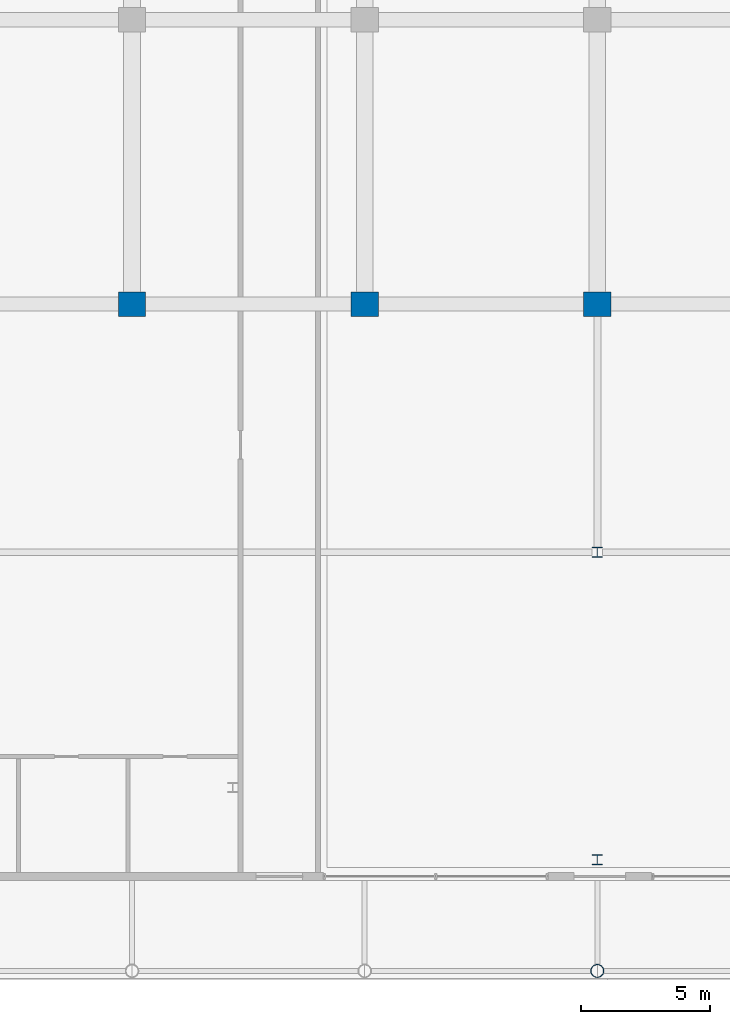
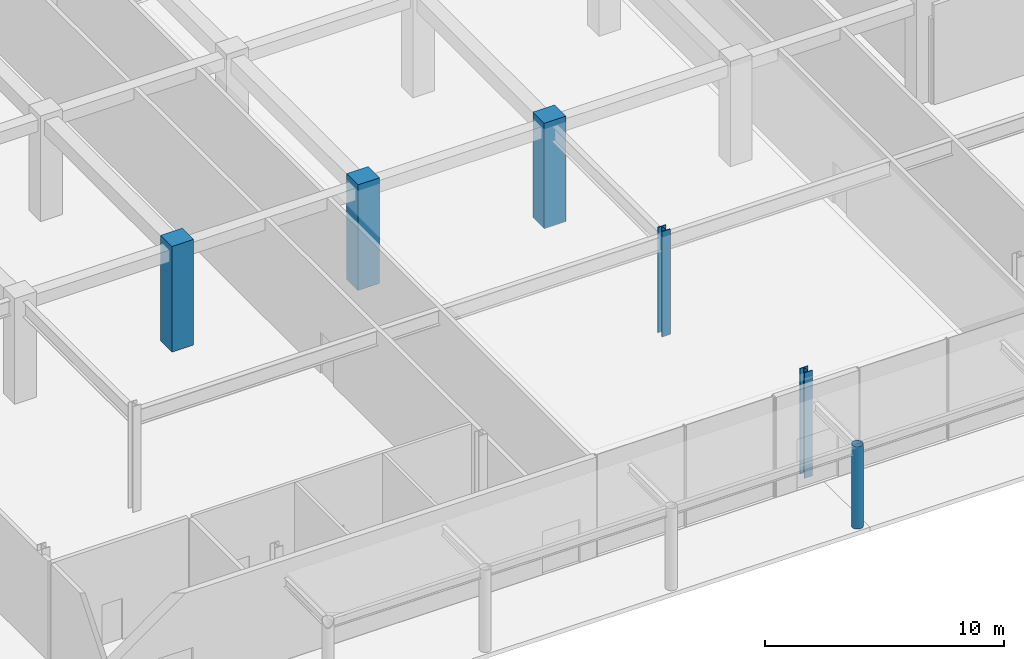
# One storey, part 2 of 46: 6 columns.
"""IFC4 building model written with IfcOpenShell, lengths in metres."""

from ifc_helpers import new_model, si_unit, direction, frame, origin, origin_2d, place, context, subcontext, project, spatial, rectangle, hollow_circle, i_section, extrude, material, material_profile, profile_set, type_object, element, save


model = new_model("IFC4")

# Units and contexts
model_context = context("Model", 3, precision=1e-05, world=origin(), true_north=direction((0.0, 1.0)))
body_context = subcontext(model_context, "Body", "Model", "MODEL_VIEW")
ifc_project = project(units=[si_unit("LENGTHUNIT", "METRE"), si_unit("AREAUNIT", "SQUARE_METRE"), si_unit("VOLUMEUNIT", "CUBIC_METRE"), si_unit("PLANEANGLEUNIT", "RADIAN"), si_unit("MASSUNIT", "GRAM", prefix="KILO")], contexts=[model_context])

# Site, building, storey
site_placement = place(None, origin())
site = spatial("IfcSite", under=ifc_project, at=site_placement, CompositionType="ELEMENT")
building_placement = place(site_placement, origin())
building = spatial("IfcBuilding", under=site, at=building_placement, Name="Korimba Cascade Residences", CompositionType="ELEMENT")
storey_placement = place(building_placement, origin())
storey = spatial("IfcBuildingStorey", under=building, at=storey_placement, Name="L00", CompositionType="ELEMENT", Elevation=0.0)

# Columns
ifc_material_1 = material(Name="Concrete C80/95", Category="concrete")
ifc_material_profile_1 = material_profile(ifc_material_1, rectangle(XDim=1.050048828125, YDim=0.949951171875, at=origin_2d()), Name="Concrete C80/95")
ifc_profile_set_1 = profile_set([ifc_material_profile_1], Name="Concrete C80/95")
column_type_1 = type_object("IfcColumnType", Name="COL-RC-1050", PredefinedType="COLUMN", material=ifc_profile_set_1)
for number, where, z_axis, x_axis, name in (
    (1, (82.10009765625, -4.199951171875, 0.0), (0.0, 0.0, 1.0), (1.0, 0.0, 0.0), "L00 Tower 2 Column 2.1"),
    (2, (91.10009765625, -4.199951171875, 0.0), (0.0, 0.0, 1.0), (1.0, 0.0, 0.0), "L00 Tower 2 Column 3.1"),
    (3, (100.10009765625, -4.199951171875, 0.0), (0.0, 0.0, 1.0), (1.0, 0.0, 0.0), "L00 Tower 2 Column 4.1"),
):
    element("IfcColumn", number, at=place(storey_placement, frame(where, z_axis=z_axis, x_axis=x_axis)), inside=storey, type_object=column_type_1, Name=name, PredefinedType="COLUMN", context=body_context, shape_type="SweptSolid", body=[
        extrude(rectangle(XDim=1.050048828125, YDim=0.949951171875, at=origin_2d()), origin(), (0.0, 0.0, 1.0), 5.39990234375),
    ])
ifc_material_2 = material(Name="Steel S355", Category="steel")
ifc_material_profile_2 = material_profile(ifc_material_2, hollow_circle(Radius=0.25390625, WallThickness=0.01611328125, at=origin_2d()), Name="Steel S355")
ifc_profile_set_2 = profile_set([ifc_material_profile_2], Name="Steel S355")
column_type_2 = type_object("IfcColumnType", Name="COL-STL-CHS508", PredefinedType="COLUMN", material=ifc_profile_set_2)
column_placement = place(storey_placement, frame((100.10009765625, -30.0, 0.0), z_axis=(0.0, 0.0, 1.0), x_axis=(1.0, 0.0, 0.0)))
element("IfcColumn", 4, at=column_placement, inside=storey, type_object=column_type_2, Name="Entrance Canopy Column 4", PredefinedType="COLUMN", context=body_context, shape_type="SweptSolid", body=[
    extrude(hollow_circle(Radius=0.25390625, WallThickness=0.01611328125, at=origin_2d()), origin(), (0.0, 0.0, 1.0), 4.199951171875),
])
ifc_material_profile_3 = material_profile(ifc_material_2, i_section(OverallWidth=0.39892578125, OverallDepth=0.3935546875, WebThickness=0.022705078125, FlangeThickness=0.03662109375, FilletRadius=0.01513671875, at=origin_2d()), Name="Steel S355")
ifc_profile_set_3 = profile_set([ifc_material_profile_3], Name="Steel S355")
column_type_3 = type_object("IfcColumnType", Name="COL-STL-UC287", PredefinedType="COLUMN", material=ifc_profile_set_3)
for number, where, z_axis, x_axis, name in (
    (5, (100.10009765625, -13.800048828125, 0.0), (0.0, 0.0, 1.0), (1.0, 0.0, 0.0), "L00 Podium Column PCS2"),
    (6, (100.10009765625, -25.699951171875, 0.0), (0.0, 0.0, 1.0), (1.0, 0.0, 0.0), "L00 Podium Column PLS2"),
):
    element("IfcColumn", number, at=place(storey_placement, frame(where, z_axis=z_axis, x_axis=x_axis)), inside=storey, type_object=column_type_3, Name=name, PredefinedType="COLUMN", context=body_context, shape_type="SweptSolid", body=[
        extrude(i_section(OverallWidth=0.39892578125, OverallDepth=0.3935546875, WebThickness=0.022705078125, FlangeThickness=0.03662109375, FilletRadius=0.01513671875, at=origin_2d()), origin(), (0.0, 0.0, 1.0), 5.39990234375),
    ])

save(model, "model.ifc")
